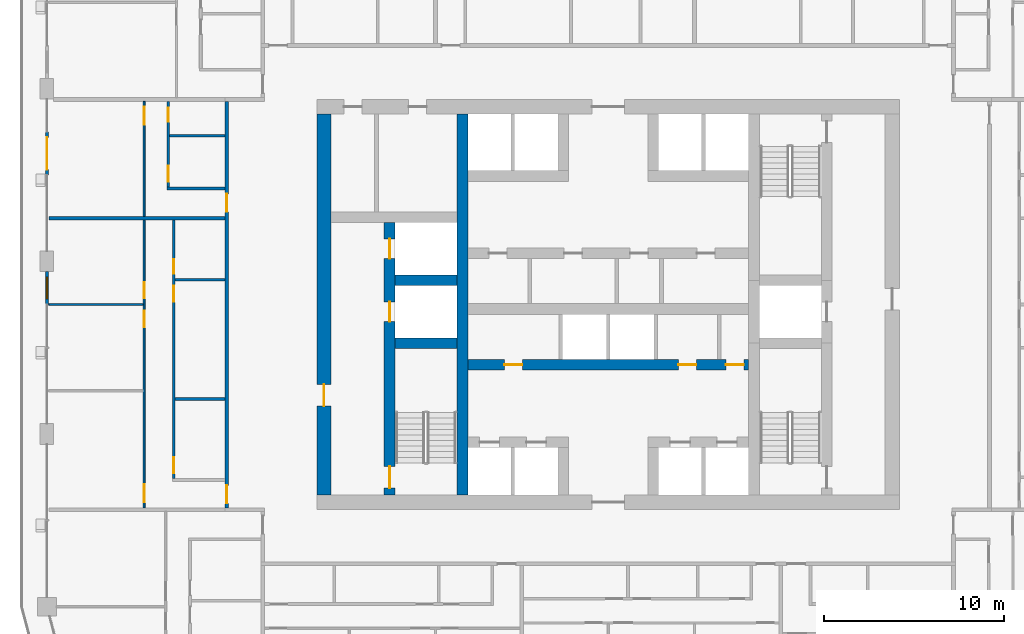
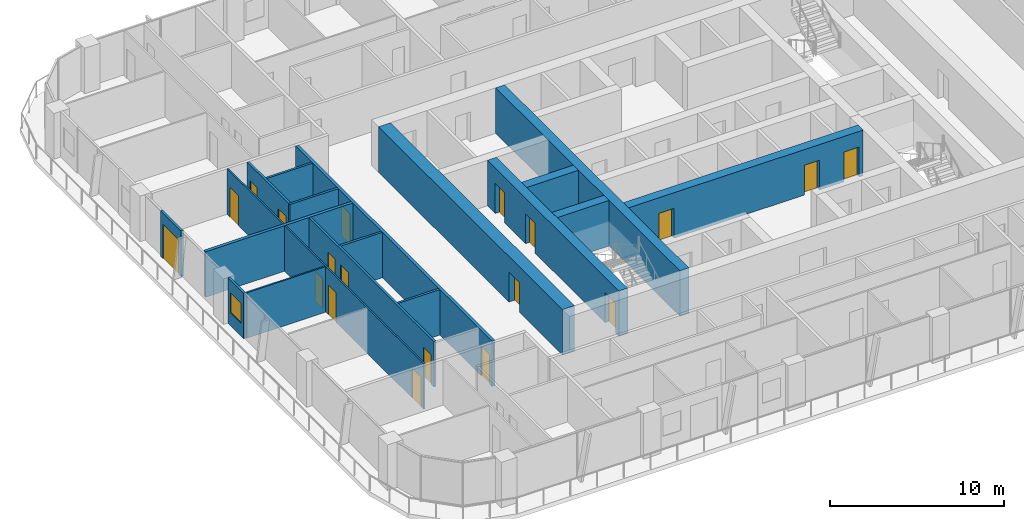
# One storey, part 10 of 22: 19 doors, 19 walls, 1 window, 20 openings.
"""IFC4 building model written with IfcOpenShell, lengths in metres."""

from ifc_helpers import new_model, si_unit, direction, frame, frame_2d, origin, place, context, subcontext, project, spatial, rectangle, extrude, material, layer, layer_set, type_object, element, fill, save


model = new_model("IFC4")

# Units and contexts
model_context = context("Model", 3, precision=1e-05, world=origin(), true_north=direction((0.0, 1.0)))
body_context = subcontext(model_context, "Body", "Model", "MODEL_VIEW")
ifc_project = project(units=[si_unit("LENGTHUNIT", "METRE"), si_unit("AREAUNIT", "SQUARE_METRE"), si_unit("VOLUMEUNIT", "CUBIC_METRE"), si_unit("PLANEANGLEUNIT", "RADIAN"), si_unit("MASSUNIT", "GRAM", prefix="KILO")], contexts=[model_context])

# Site, building, storey
site_placement = place(None, origin())
site = spatial("IfcSite", under=ifc_project, at=site_placement, CompositionType="ELEMENT")
building_placement = place(site_placement, origin())
building = spatial("IfcBuilding", under=site, at=building_placement, Name="Madar Terraces", CompositionType="ELEMENT")
storey_placement = place(building_placement, frame((0.0, 0.0, 136.60009765625)))
storey = spatial("IfcBuildingStorey", under=building, at=storey_placement, Name="L35", CompositionType="ELEMENT", Elevation=136.60009765625)

# Wall, openings, doors
ifc_material_1 = material(Name="Concrete C70/85", Category="concrete")
ifc_layer_1 = layer(ifc_material_1, 0.60009765625)
ifc_layer_set_1 = layer_set([ifc_layer_1], Name="Concrete C70/85 (CIW3 RC wall 600)")
wall_type_1 = type_object("IfcWallType", Name="CIW3 RC wall 600", PredefinedType="SHEAR", material=ifc_layer_set_1)
wall_1_placement = place(storey_placement, frame((19.050048828125, 15.800048828125, 0.0), z_axis=(0.0, 0.0, 1.0), x_axis=(0.0, 1.0, 0.0)))
wall_1 = element("IfcWall", 1, at=wall_1_placement, inside=storey, type_object=wall_type_1, Name="CORE SHAFT WALL", PredefinedType="SHEAR", context=body_context, shape_type="SweptSolid", body=[
    extrude(rectangle(XDim=15.14990234375, YDim=0.60009765625, at=frame_2d((7.574951171875, 0.0))), origin(), (0.0, 0.0, 1.0), 3.199951171875),
])
opening_1_placement = place(wall_1_placement, frame((9.64990234375, 0.0, 0.0)))
opening_1 = element("IfcOpeningElement", 2, at=opening_1_placement, cuts=wall_1, Name="Opening LD", PredefinedType="OPENING", context=body_context, shape_type="SweptSolid", body=[
    extrude(rectangle(XDim=1.10009765625, YDim=2.10009765625, at=frame_2d((0.550048828125, 1.050048828125))), frame((0.0, 0.31005859375, 0.0), z_axis=(0.0, -1.0, 0.0), x_axis=(1.0, 0.0, 0.0)), (0.0, 0.0, 1.0), 0.6201171875),
])
opening_2_placement = place(wall_1_placement, frame((13.14990234375, 0.0, 0.0)))
opening_2 = element("IfcOpeningElement", 3, at=opening_2_placement, cuts=wall_1, Name="Opening LD", PredefinedType="OPENING", context=body_context, shape_type="SweptSolid", body=[
    extrude(rectangle(XDim=1.10009765625, YDim=2.10009765625, at=frame_2d((0.550048828125, 1.050048828125))), frame((0.0, 0.31005859375, 0.0), z_axis=(0.0, -1.0, 0.0), x_axis=(1.0, 0.0, 0.0)), (0.0, 0.0, 1.0), 0.6201171875),
])
opening_3_placement = place(wall_1_placement, frame((0.39990234375, 0.0, 0.0)))
opening_3 = element("IfcOpeningElement", 4, at=opening_3_placement, cuts=wall_1, Name="Opening SD1", PredefinedType="OPENING", context=body_context, shape_type="SweptSolid", body=[
    extrude(rectangle(XDim=1.199951171875, YDim=2.10009765625, at=frame_2d((0.60009765625, 1.050048828125))), frame((0.0, 0.31005859375, 0.0), z_axis=(0.0, -1.0, 0.0), x_axis=(1.0, 0.0, 0.0)), (0.0, 0.0, 1.0), 0.6201171875),
])
ifc_material_2 = material(Name="Stainless steel panel", Category="steel")
door_type_1 = type_object("IfcDoorType", Name="Lift landing door 1100 x 2100", OperationType="DOUBLE_DOOR_SLIDING", PredefinedType="DOOR", material=ifc_material_2)
door_1_placement = place(opening_1_placement, origin())
door_1 = element("IfcDoor", 5, at=door_1_placement, inside=storey, type_object=door_type_1, Name="LIFT LANDING DOOR", OperationType="DOUBLE_DOOR_SLIDING", OverallHeight=2.10009765625, OverallWidth=1.10009765625, PredefinedType="DOOR", context=body_context, shape_type="SweptSolid", body=[
    extrude(rectangle(XDim=1.10009765625, YDim=2.10009765625, at=frame_2d((0.550048828125, 1.050048828125))), frame((0.0, 0.02490234375, 0.0), z_axis=(0.0, -1.0, 0.0), x_axis=(1.0, 0.0, 0.0)), (0.0, 0.0, 1.0), 0.050048828125),
])
fill(opening_1, door_1)
door_2_placement = place(opening_2_placement, origin())
door_2 = element("IfcDoor", 6, at=door_2_placement, inside=storey, type_object=door_type_1, Name="LIFT LANDING DOOR", OperationType="DOUBLE_DOOR_SLIDING", OverallHeight=2.10009765625, OverallWidth=1.10009765625, PredefinedType="DOOR", context=body_context, shape_type="SweptSolid", body=[
    extrude(rectangle(XDim=1.10009765625, YDim=2.10009765625, at=frame_2d((0.550048828125, 1.050048828125))), frame((0.0, 0.02490234375, 0.0), z_axis=(0.0, -1.0, 0.0), x_axis=(1.0, 0.0, 0.0)), (0.0, 0.0, 1.0), 0.050048828125),
])
fill(opening_2, door_2)
ifc_material_3 = material(Name="Steel door leaf", Category="steel")
door_type_2 = type_object("IfcDoorType", Name="Stair door 1200 x 2100", OperationType="NOTDEFINED", PredefinedType="DOOR", material=ifc_material_3)
door_3_placement = place(opening_3_placement, frame((1.199951171875, 0.0, 0.0), z_axis=(0.0, 0.0, 1.0), x_axis=(-1.0, 0.0, 0.0)))
door_3 = element("IfcDoor", 7, at=door_3_placement, inside=storey, type_object=door_type_2, Name="STAIR DOOR", OperationType="SINGLE_SWING_LEFT", OverallHeight=2.10009765625, OverallWidth=1.199951171875, PredefinedType="DOOR", context=body_context, shape_type="SweptSolid", body=[
    extrude(rectangle(XDim=1.199951171875, YDim=2.10009765625, at=frame_2d((0.60009765625, 1.050048828125))), frame((0.0, 0.02490234375, 0.0), z_axis=(0.0, -1.0, 0.0), x_axis=(1.0, 0.0, 0.0)), (0.0, 0.0, 1.0), 0.050048828125),
])
fill(opening_3, door_3)

# Walls
wall_2_placement = place(storey_placement, frame((23.10009765625, 15.800048828125, 0.0), z_axis=(0.0, 0.0, 1.0), x_axis=(0.0, 1.0, 0.0)))
element("IfcWall", 8, at=wall_2_placement, inside=storey, type_object=wall_type_1, Name="CORE SHAFT WALL", PredefinedType="SHEAR", context=body_context, shape_type="SweptSolid", body=[
    extrude(rectangle(XDim=21.199951171875, YDim=0.60009765625, at=frame_2d((10.60009765625, 0.0))), origin(), (0.0, 0.0, 1.0), 3.199951171875),
])
for number, where, z_axis, x_axis, name in (
    (9, (19.35009765625, 24.25, 0.0), (0.0, 0.0, 1.0), (1.0, 0.0, 0.0), "CORE SHAFT WALL"),
    (10, (19.35009765625, 27.75, 0.0), (0.0, 0.0, 1.0), (1.0, 0.0, 0.0), "CORE SHAFT WALL"),
):
    element("IfcWall", number, at=place(storey_placement, frame(where, z_axis=z_axis, x_axis=x_axis)), inside=storey, type_object=wall_type_1, Name=name, PredefinedType="SHEAR", context=body_context, shape_type="SweptSolid", body=[
        extrude(rectangle(XDim=3.449951171875, YDim=0.60009765625, at=frame_2d((1.72509765625, 0.0))), origin(), (0.0, 0.0, 1.0), 3.199951171875),
    ])

# Wall, openings, doors
wall_3_placement = place(storey_placement, frame((23.39990234375, 23.050048828125, 0.0), z_axis=(0.0, 0.0, 1.0), x_axis=(1.0, 0.0, 0.0)))
wall_3 = element("IfcWall", 11, at=wall_3_placement, inside=storey, type_object=wall_type_1, Name="CORE SHAFT WALL", PredefinedType="SHEAR", context=body_context, shape_type="SweptSolid", body=[
    extrude(rectangle(XDim=15.60009765625, YDim=0.60009765625, at=frame_2d((7.800048828125, 0.0))), origin(), (0.0, 0.0, 1.0), 3.199951171875),
])
opening_4_placement = place(wall_3_placement, frame((2.033447265625, 0.0, 0.0)))
opening_4 = element("IfcOpeningElement", 12, at=opening_4_placement, cuts=wall_3, Name="Opening KD2", PredefinedType="OPENING", context=body_context, shape_type="SweptSolid", body=[
    extrude(rectangle(XDim=1.0, YDim=2.10009765625, at=frame_2d((0.5, 1.050048828125))), frame((0.0, 0.31005859375, 0.0), z_axis=(0.0, -1.0, 0.0), x_axis=(1.0, 0.0, 0.0)), (0.0, 0.0, 1.0), 0.6201171875),
])
opening_5_placement = place(wall_3_placement, frame((11.7060546875, 0.0, 0.0)))
opening_5 = element("IfcOpeningElement", 13, at=opening_5_placement, cuts=wall_3, Name="Opening KD2", PredefinedType="OPENING", context=body_context, shape_type="SweptSolid", body=[
    extrude(rectangle(XDim=1.0, YDim=2.10009765625, at=frame_2d((0.5, 1.050048828125))), frame((0.0, 0.31005859375, 0.0), z_axis=(0.0, -1.0, 0.0), x_axis=(1.0, 0.0, 0.0)), (0.0, 0.0, 1.0), 0.6201171875),
])
opening_6_placement = place(wall_3_placement, frame((14.33935546875, 0.0, 0.0)))
opening_6 = element("IfcOpeningElement", 14, at=opening_6_placement, cuts=wall_3, Name="Opening KD2", PredefinedType="OPENING", context=body_context, shape_type="SweptSolid", body=[
    extrude(rectangle(XDim=1.0, YDim=2.10009765625, at=frame_2d((0.5, 1.050048828125))), frame((0.0, 0.31005859375, 0.0), z_axis=(0.0, -1.0, 0.0), x_axis=(1.0, 0.0, 0.0)), (0.0, 0.0, 1.0), 0.6201171875),
])
ifc_material_4 = material(Name="Steel door leaf", Category="steel")
door_type_3 = type_object("IfcDoorType", Name="Service room door 1000 x 2100", OperationType="NOTDEFINED", PredefinedType="DOOR", material=ifc_material_4)
door_4_placement = place(opening_4_placement, frame((1.0, 0.0, 0.0), z_axis=(0.0, 0.0, 1.0), x_axis=(-1.0, 0.0, 0.0)))
door_4 = element("IfcDoor", 15, at=door_4_placement, inside=storey, type_object=door_type_3, Name="SERVICE ROOM DOOR", OperationType="SINGLE_SWING_RIGHT", OverallHeight=2.10009765625, OverallWidth=1.0, PredefinedType="DOOR", context=body_context, shape_type="SweptSolid", body=[
    extrude(rectangle(XDim=1.0, YDim=2.10009765625, at=frame_2d((0.5, 1.050048828125))), frame((0.0, 0.02490234375, 0.0), z_axis=(0.0, -1.0, 0.0), x_axis=(1.0, 0.0, 0.0)), (0.0, 0.0, 1.0), 0.050048828125),
])
fill(opening_4, door_4)
door_5_placement = place(opening_5_placement, frame((1.0, 0.0, 0.0), z_axis=(0.0, 0.0, 1.0), x_axis=(-1.0, 0.0, 0.0)))
door_5 = element("IfcDoor", 16, at=door_5_placement, inside=storey, type_object=door_type_3, Name="SERVICE ROOM DOOR", OperationType="SINGLE_SWING_LEFT", OverallHeight=2.10009765625, OverallWidth=1.0, PredefinedType="DOOR", context=body_context, shape_type="SweptSolid", body=[
    extrude(rectangle(XDim=1.0, YDim=2.10009765625, at=frame_2d((0.5, 1.050048828125))), frame((0.0, 0.02490234375, 0.0), z_axis=(0.0, -1.0, 0.0), x_axis=(1.0, 0.0, 0.0)), (0.0, 0.0, 1.0), 0.050048828125),
])
fill(opening_5, door_5)
door_6_placement = place(opening_6_placement, frame((1.0, 0.0, 0.0), z_axis=(0.0, 0.0, 1.0), x_axis=(-1.0, 0.0, 0.0)))
door_6 = element("IfcDoor", 17, at=door_6_placement, inside=storey, type_object=door_type_3, Name="SERVICE ROOM DOOR", OperationType="SINGLE_SWING_RIGHT", OverallHeight=2.10009765625, OverallWidth=1.0, PredefinedType="DOOR", context=body_context, shape_type="SweptSolid", body=[
    extrude(rectangle(XDim=1.0, YDim=2.10009765625, at=frame_2d((0.5, 1.050048828125))), frame((0.0, 0.02490234375, 0.0), z_axis=(0.0, -1.0, 0.0), x_axis=(1.0, 0.0, 0.0)), (0.0, 0.0, 1.0), 0.050048828125),
])
fill(opening_6, door_6)

# Wall, opening, door
ifc_material_5 = material(Name="Concrete C70/85", Category="concrete")
ifc_layer_2 = layer(ifc_material_5, 0.800048828125)
ifc_layer_set_2 = layer_set([ifc_layer_2], Name="Concrete C70/85 (CRW3 RC wall 800)")
wall_type_2 = type_object("IfcWallType", Name="CRW3 RC wall 800", PredefinedType="SHEAR", material=ifc_layer_set_2)
wall_4_placement = place(storey_placement, frame((15.39990234375, 15.800048828125, 0.0), z_axis=(0.0, 0.0, 1.0), x_axis=(0.0, 1.0, 0.0)))
wall_4 = element("IfcWall", 18, at=wall_4_placement, inside=storey, type_object=wall_type_2, Name="CORE OUTER WALL", PredefinedType="SHEAR", context=body_context, shape_type="SweptSolid", body=[
    extrude(rectangle(XDim=21.199951171875, YDim=0.800048828125, at=frame_2d((10.60009765625, 0.0))), origin(), (0.0, 0.0, 1.0), 3.199951171875),
])
opening_7_placement = place(wall_4_placement, frame((4.9599609375, 0.0, 0.0)))
opening_7 = element("IfcOpeningElement", 19, at=opening_7_placement, cuts=wall_4, Name="Opening SD1", PredefinedType="OPENING", context=body_context, shape_type="SweptSolid", body=[
    extrude(rectangle(XDim=1.199951171875, YDim=2.10009765625, at=frame_2d((0.60009765625, 1.050048828125))), frame((0.0, 0.409912109375, 0.0), z_axis=(0.0, -1.0, 0.0), x_axis=(1.0, 0.0, 0.0)), (0.0, 0.0, 1.0), 0.820068359375),
])
door_7_placement = place(opening_7_placement, frame((1.199951171875, 0.0, 0.0), z_axis=(0.0, 0.0, 1.0), x_axis=(-1.0, 0.0, 0.0)))
door_7 = element("IfcDoor", 20, at=door_7_placement, inside=storey, type_object=door_type_2, Name="STAIR DOOR", OperationType="SINGLE_SWING_RIGHT", OverallHeight=2.10009765625, OverallWidth=1.199951171875, PredefinedType="DOOR", context=body_context, shape_type="SweptSolid", body=[
    extrude(rectangle(XDim=1.199951171875, YDim=2.10009765625, at=frame_2d((0.60009765625, 1.050048828125))), frame((0.0, 0.02490234375, 0.0), z_axis=(0.0, -1.0, 0.0), x_axis=(1.0, 0.0, 0.0)), (0.0, 0.0, 1.0), 0.050048828125),
])
fill(opening_7, door_7)

ifc_material_6 = material(Name="Aluminium composite panel, black, over insulated backing", Category="aluminium")
ifc_layer_3 = layer(ifc_material_6, 0.14990234375)
ifc_layer_set_3 = layer_set([ifc_layer_3], Name="Facade bay panel 150")
wall_type_3 = type_object("IfcWallType", Name="Facade bay panel 150", PredefinedType="SOLIDWALL", material=ifc_layer_set_3)
wall_5_placement = place(storey_placement, frame((0.0, 36.0, 0.0), z_axis=(0.0, 0.0, 1.0), x_axis=(0.0, -1.0, 0.0)))
wall_5 = element("IfcWall", 21, at=wall_5_placement, inside=storey, type_object=wall_type_3, Name="Facade bay panel", PredefinedType="SOLIDWALL", context=body_context, shape_type="SweptSolid", body=[
    extrude(rectangle(XDim=2.39990234375, YDim=0.14990234375, at=frame_2d((1.199951171875, 0.0))), origin(), (0.0, 0.0, 1.0), 3.199951171875),
])
opening_8_placement = place(wall_5_placement, frame((0.300048828125, 0.0, 0.0)))
opening_8 = element("IfcOpeningElement", 22, at=opening_8_placement, cuts=wall_5, Name="Opening ED1", PredefinedType="OPENING", context=body_context, shape_type="SweptSolid", body=[
    extrude(rectangle(XDim=1.800048828125, YDim=2.39990234375, at=frame_2d((0.89990234375, 1.199951171875))), frame((0.0, 0.0849609375, 0.0), z_axis=(0.0, -1.0, 0.0), x_axis=(1.0, 0.0, 0.0)), (0.0, 0.0, 1.0), 0.169921875),
])
ifc_material_7 = material(Name="Glass, clear, with black aluminium frame", Category="aluminium")
door_type_4 = type_object("IfcDoorType", Name="Balcony and terrace sliding door 1800 x 2400", OperationType="SLIDING_TO_LEFT", PredefinedType="DOOR", material=ifc_material_7)
door_8_placement = place(opening_8_placement, origin())
door_8 = element("IfcDoor", 23, at=door_8_placement, inside=storey, type_object=door_type_4, Name="Balcony door", OperationType="SLIDING_TO_LEFT", OverallHeight=2.39990234375, OverallWidth=1.800048828125, PredefinedType="DOOR", context=body_context, shape_type="SweptSolid", body=[
    extrude(rectangle(XDim=1.800048828125, YDim=2.39990234375, at=frame_2d((0.89990234375, 1.199951171875))), frame((0.0, 0.02490234375, 0.0), z_axis=(0.0, -1.0, 0.0), x_axis=(1.0, 0.0, 0.0)), (0.0, 0.0, 1.0), 0.050048828125),
])
fill(opening_8, door_8)

# Wall, opening, window
wall_6_placement = place(storey_placement, frame((0.0, 28.22509765625, 0.0), z_axis=(0.0, 0.0, 1.0), x_axis=(0.0, -1.0, 0.0)))
wall_6 = element("IfcWall", 24, at=wall_6_placement, inside=storey, type_object=wall_type_3, Name="Facade bay panel", PredefinedType="SOLIDWALL", context=body_context, shape_type="SweptSolid", body=[
    extrude(rectangle(XDim=1.8251953125, YDim=0.14990234375, at=frame_2d((0.91259765625, 0.0))), origin(), (0.0, 0.0, 1.0), 3.199951171875),
])
opening_9_placement = place(wall_6_placement, frame((0.3125, 0.0, 0.89990234375)))
opening_9 = element("IfcOpeningElement", 25, at=opening_9_placement, cuts=wall_6, Name="Opening W1", PredefinedType="OPENING", context=body_context, shape_type="SweptSolid", body=[
    extrude(rectangle(XDim=1.199951171875, YDim=1.39990234375, at=frame_2d((0.60009765625, 0.699951171875))), frame((0.0, 0.0849609375, 0.0), z_axis=(0.0, -1.0, 0.0), x_axis=(1.0, 0.0, 0.0)), (0.0, 0.0, 1.0), 0.169921875),
])
ifc_material_8 = material(Name="Glass, clear, with black aluminium frame", Category="aluminium")
window_type = type_object("IfcWindowType", Name="Vent window 1200 x 1400", PartitioningType="SINGLE_PANEL", PredefinedType="WINDOW", material=ifc_material_8)
window_placement = place(opening_9_placement, origin())
window = element("IfcWindow", 26, at=window_placement, inside=storey, type_object=window_type, Name="Operable vent window", OverallHeight=1.39990234375, OverallWidth=1.199951171875, PartitioningType="SINGLE_PANEL", PredefinedType="WINDOW", context=body_context, shape_type="SweptSolid", body=[
    extrude(rectangle(XDim=1.199951171875, YDim=1.39990234375, at=frame_2d((0.60009765625, 0.699951171875))), frame((0.0, 0.030029296875, 0.0), z_axis=(0.0, -1.0, 0.0), x_axis=(1.0, 0.0, 0.0)), (0.0, 0.0, 1.0), 0.06005859375),
])
fill(opening_9, window)

# Wall, opening, door
ifc_material_9 = material(Name="Gypsum board on steel studs", Category="steel")
ifc_layer_4 = layer(ifc_material_9, 0.10009765625)
ifc_layer_set_4 = layer_set([ifc_layer_4], Name="Flat partition 100")
wall_type_4 = type_object("IfcWallType", Name="Flat partition 100", PredefinedType="PARTITIONING", material=ifc_layer_set_4)
wall_7_placement = place(storey_placement, frame((5.39990234375, 31.300048828125, 0.0), z_axis=(0.0, 0.0, 1.0), x_axis=(0.0, 1.0, 0.0)))
wall_7 = element("IfcWall", 27, at=wall_7_placement, inside=storey, type_object=wall_type_4, Name="Flat partition 100", PredefinedType="PARTITIONING", context=body_context, shape_type="SweptSolid", body=[
    extrude(rectangle(XDim=6.39990234375, YDim=0.10009765625, at=frame_2d((3.199951171875, 0.0))), origin(), (0.0, 0.0, 1.0), 3.199951171875),
])
opening_10_placement = place(wall_7_placement, frame((5.10009765625, 0.0, 0.0)))
opening_10 = element("IfcOpeningElement", 28, at=opening_10_placement, cuts=wall_7, Name="Opening D3", PredefinedType="OPENING", context=body_context, shape_type="SweptSolid", body=[
    extrude(rectangle(XDim=1.0, YDim=2.10009765625, at=frame_2d((0.5, 1.050048828125))), frame((0.0, 0.06005859375, 0.0), z_axis=(0.0, -1.0, 0.0), x_axis=(1.0, 0.0, 0.0)), (0.0, 0.0, 1.0), 0.1201171875),
])
ifc_material_10 = material(Name="Timber door leaf", Category="wood")
door_type_5 = type_object("IfcDoorType", Name="Flat living room door 1000", OperationType="NOTDEFINED", PredefinedType="DOOR", material=ifc_material_10)
door_9_placement = place(opening_10_placement, origin())
door_9 = element("IfcDoor", 29, at=door_9_placement, inside=storey, type_object=door_type_5, Name="Flat living room door 1000", OperationType="SINGLE_SWING_RIGHT", OverallHeight=2.10009765625, OverallWidth=1.0, PredefinedType="DOOR", context=body_context, shape_type="SweptSolid", body=[
    extrude(rectangle(XDim=1.0, YDim=2.10009765625, at=frame_2d((0.5, 1.050048828125))), frame((0.0, 0.02490234375, 0.0), z_axis=(0.0, -1.0, 0.0), x_axis=(1.0, 0.0, 0.0)), (0.0, 0.0, 1.0), 0.050048828125),
])
fill(opening_10, door_9)

# Wall
wall_8_placement = place(storey_placement, frame((5.35009765625, 26.39990234375, 0.0), z_axis=(0.0, 0.0, 1.0), x_axis=(-1.0, 0.0, 0.0)))
element("IfcWall", 30, at=wall_8_placement, inside=storey, type_object=wall_type_4, Name="Flat partition 100", PredefinedType="PARTITIONING", context=body_context, shape_type="SweptSolid", body=[
    extrude(rectangle(XDim=5.25, YDim=0.10009765625, at=frame_2d((2.625, 0.0))), origin(), (0.0, 0.0, 1.0), 3.199951171875),
])

# Wall, openings, doors
wall_9_placement = place(storey_placement, frame((5.39990234375, 15.10009765625, 0.0), z_axis=(0.0, 0.0, 1.0), x_axis=(0.0, 1.0, 0.0)))
wall_9 = element("IfcWall", 31, at=wall_9_placement, inside=storey, type_object=wall_type_4, Name="Flat partition 100", PredefinedType="PARTITIONING", context=body_context, shape_type="SweptSolid", body=[
    extrude(rectangle(XDim=16.0, YDim=0.10009765625, at=frame_2d((8.0, 0.0))), origin(), (0.0, 0.0, 1.0), 3.199951171875),
])
opening_11_placement = place(wall_9_placement, frame((0.300048828125, 0.0, 0.0)))
opening_11 = element("IfcOpeningElement", 32, at=opening_11_placement, cuts=wall_9, Name="Opening D3", PredefinedType="OPENING", context=body_context, shape_type="SweptSolid", body=[
    extrude(rectangle(XDim=1.0, YDim=2.10009765625, at=frame_2d((0.5, 1.050048828125))), frame((0.0, 0.06005859375, 0.0), z_axis=(0.0, -1.0, 0.0), x_axis=(1.0, 0.0, 0.0)), (0.0, 0.0, 1.0), 0.1201171875),
])
opening_12_placement = place(wall_9_placement, frame((10.050048828125, 0.0, 0.0)))
opening_12 = element("IfcOpeningElement", 33, at=opening_12_placement, cuts=wall_9, Name="Opening D2", PredefinedType="OPENING", context=body_context, shape_type="SweptSolid", body=[
    extrude(rectangle(XDim=0.89990234375, YDim=2.10009765625, at=frame_2d((0.449951171875, 1.050048828125))), frame((0.0, 0.06005859375, 0.0), z_axis=(0.0, -1.0, 0.0), x_axis=(1.0, 0.0, 0.0)), (0.0, 0.0, 1.0), 0.1201171875),
])
opening_13_placement = place(wall_9_placement, frame((11.64990234375, 0.0, 0.0)))
opening_13 = element("IfcOpeningElement", 34, at=opening_13_placement, cuts=wall_9, Name="Opening D2", PredefinedType="OPENING", context=body_context, shape_type="SweptSolid", body=[
    extrude(rectangle(XDim=0.89990234375, YDim=2.10009765625, at=frame_2d((0.449951171875, 1.050048828125))), frame((0.0, 0.06005859375, 0.0), z_axis=(0.0, -1.0, 0.0), x_axis=(1.0, 0.0, 0.0)), (0.0, 0.0, 1.0), 0.1201171875),
])
door_10_placement = place(opening_11_placement, origin())
door_10 = element("IfcDoor", 35, at=door_10_placement, inside=storey, type_object=door_type_5, Name="Flat living room door 1000", OperationType="SINGLE_SWING_LEFT", OverallHeight=2.10009765625, OverallWidth=1.0, PredefinedType="DOOR", context=body_context, shape_type="SweptSolid", body=[
    extrude(rectangle(XDim=1.0, YDim=2.10009765625, at=frame_2d((0.5, 1.050048828125))), frame((0.0, 0.02490234375, 0.0), z_axis=(0.0, -1.0, 0.0), x_axis=(1.0, 0.0, 0.0)), (0.0, 0.0, 1.0), 0.050048828125),
])
fill(opening_11, door_10)
ifc_material_11 = material(Name="Timber door leaf", Category="wood")
door_type_6 = type_object("IfcDoorType", Name="Flat room door 900", OperationType="NOTDEFINED", PredefinedType="DOOR", material=ifc_material_11)
door_11_placement = place(opening_12_placement, origin())
door_11 = element("IfcDoor", 36, at=door_11_placement, inside=storey, type_object=door_type_6, Name="Flat room door 900", OperationType="SINGLE_SWING_RIGHT", OverallHeight=2.10009765625, OverallWidth=0.89990234375, PredefinedType="DOOR", context=body_context, shape_type="SweptSolid", body=[
    extrude(rectangle(XDim=0.89990234375, YDim=2.10009765625, at=frame_2d((0.449951171875, 1.050048828125))), frame((0.0, 0.02490234375, 0.0), z_axis=(0.0, -1.0, 0.0), x_axis=(1.0, 0.0, 0.0)), (0.0, 0.0, 1.0), 0.050048828125),
])
fill(opening_12, door_11)
door_12_placement = place(opening_13_placement, origin())
door_12 = element("IfcDoor", 37, at=door_12_placement, inside=storey, type_object=door_type_6, Name="Flat room door 900", OperationType="SINGLE_SWING_LEFT", OverallHeight=2.10009765625, OverallWidth=0.89990234375, PredefinedType="DOOR", context=body_context, shape_type="SweptSolid", body=[
    extrude(rectangle(XDim=0.89990234375, YDim=2.10009765625, at=frame_2d((0.449951171875, 1.050048828125))), frame((0.0, 0.02490234375, 0.0), z_axis=(0.0, -1.0, 0.0), x_axis=(1.0, 0.0, 0.0)), (0.0, 0.0, 1.0), 0.050048828125),
])
fill(opening_13, door_12)

ifc_material_12 = material(Name="Lightweight blockwork", Category="masonry")
ifc_layer_5 = layer(ifc_material_12, 0.199951171875)
ifc_layer_set_5 = layer_set([ifc_layer_5], Name="Flat party and entrance wall 200")
wall_type_5 = type_object("IfcWallType", Name="Flat party and entrance wall 200", PredefinedType="PARTITIONING", material=ifc_layer_set_5)
wall_10_placement = place(storey_placement, frame((10.0, 15.10009765625, 0.0), z_axis=(0.0, 0.0, 1.0), x_axis=(0.0, 1.0, 0.0)))
wall_10 = element("IfcWall", 38, at=wall_10_placement, inside=storey, type_object=wall_type_5, Name="Flat party and entrance wall 200", PredefinedType="PARTITIONING", context=body_context, shape_type="SweptSolid", body=[
    extrude(rectangle(XDim=22.599853515625, YDim=0.199951171875, at=frame_2d((11.2998046875, 0.0))), origin(), (0.0, 0.0, 1.0), 3.199951171875),
])
opening_14_placement = place(wall_10_placement, frame((16.449951171875, 0.0, 0.0)))
opening_14 = element("IfcOpeningElement", 39, at=opening_14_placement, cuts=wall_10, Name="Opening D1", PredefinedType="OPENING", context=body_context, shape_type="SweptSolid", body=[
    extrude(rectangle(XDim=1.0, YDim=2.10009765625, at=frame_2d((0.5, 1.050048828125))), frame((0.0, 0.10986328125, 0.0), z_axis=(0.0, -1.0, 0.0), x_axis=(1.0, 0.0, 0.0)), (0.0, 0.0, 1.0), 0.219970703125),
])
opening_15_placement = place(wall_10_placement, frame((0.25, 0.0, 0.0)))
opening_15 = element("IfcOpeningElement", 40, at=opening_15_placement, cuts=wall_10, Name="Opening D1", PredefinedType="OPENING", context=body_context, shape_type="SweptSolid", body=[
    extrude(rectangle(XDim=1.0, YDim=2.10009765625, at=frame_2d((0.5, 1.050048828125))), frame((0.0, 0.10986328125, 0.0), z_axis=(0.0, -1.0, 0.0), x_axis=(1.0, 0.0, 0.0)), (0.0, 0.0, 1.0), 0.219970703125),
])
ifc_material_13 = material(Name="Timber fire door leaf", Category="wood")
door_type_7 = type_object("IfcDoorType", Name="Flat entrance door 1000 FD30S", OperationType="NOTDEFINED", PredefinedType="DOOR", material=ifc_material_13)
door_13_placement = place(opening_14_placement, origin())
door_13 = element("IfcDoor", 41, at=door_13_placement, inside=storey, type_object=door_type_7, Name="Flat entrance door 1000 FD30S", OperationType="SINGLE_SWING_LEFT", OverallHeight=2.10009765625, OverallWidth=1.0, PredefinedType="DOOR", context=body_context, shape_type="SweptSolid", body=[
    extrude(rectangle(XDim=1.0, YDim=2.10009765625, at=frame_2d((0.5, 1.050048828125))), frame((0.0, 0.02490234375, 0.0), z_axis=(0.0, -1.0, 0.0), x_axis=(1.0, 0.0, 0.0)), (0.0, 0.0, 1.0), 0.050048828125),
])
fill(opening_14, door_13)
door_14_placement = place(opening_15_placement, origin())
door_14 = element("IfcDoor", 42, at=door_14_placement, inside=storey, type_object=door_type_7, Name="Flat entrance door 1000 FD30S", OperationType="SINGLE_SWING_LEFT", OverallHeight=2.10009765625, OverallWidth=1.0, PredefinedType="DOOR", context=body_context, shape_type="SweptSolid", body=[
    extrude(rectangle(XDim=1.0, YDim=2.10009765625, at=frame_2d((0.5, 1.050048828125))), frame((0.0, 0.02490234375, 0.0), z_axis=(0.0, -1.0, 0.0), x_axis=(1.0, 0.0, 0.0)), (0.0, 0.0, 1.0), 0.050048828125),
])
fill(opening_15, door_14)

# Walls
wall_11_placement = place(storey_placement, frame((0.10009765625, 31.199951171875, 0.0), z_axis=(0.0, 0.0, 1.0), x_axis=(1.0, 0.0, 0.0)))
element("IfcWall", 43, at=wall_11_placement, inside=storey, type_object=wall_type_5, Name="Flat party and entrance wall 200", PredefinedType="PARTITIONING", context=body_context, shape_type="SweptSolid", body=[
    extrude(rectangle(XDim=9.7998046875, YDim=0.199951171875, at=frame_2d((4.89990234375, 0.0))), origin(), (0.0, 0.0, 1.0), 3.199951171875),
])
ifc_material_14 = material(Name="Lightweight blockwork", Category="masonry")
ifc_layer_6 = layer(ifc_material_14, 0.14990234375)
ifc_layer_set_6 = layer_set([ifc_layer_6], Name="Flat wet-room partition 150")
wall_type_6 = type_object("IfcWallType", Name="Flat wet-room partition 150", PredefinedType="PARTITIONING", material=ifc_layer_set_6)
wall_12_placement = place(storey_placement, frame((9.89990234375, 35.7900390625, 0.0), z_axis=(0.0, 0.0, 1.0), x_axis=(-1.0, 0.0, 0.0)))
element("IfcWall", 44, at=wall_12_placement, inside=storey, type_object=wall_type_6, Name="Flat wet-room partition 150", PredefinedType="PARTITIONING", context=body_context, shape_type="SweptSolid", body=[
    extrude(rectangle(XDim=3.074951171875, YDim=0.14990234375, at=frame_2d((1.53759765625, 0.0))), origin(), (0.0, 0.0, 1.0), 3.199951171875),
])
wall_13_placement = place(storey_placement, frame((9.89990234375, 32.85009765625, 0.0), z_axis=(0.0, 0.0, 1.0), x_axis=(-1.0, 0.0, 0.0)))
element("IfcWall", 45, at=wall_13_placement, inside=storey, type_object=wall_type_6, Name="Flat wet-room partition 150", PredefinedType="PARTITIONING", context=body_context, shape_type="SweptSolid", body=[
    extrude(rectangle(XDim=3.224853515625, YDim=0.14990234375, at=frame_2d((1.6123046875, 0.0))), origin(), (0.0, 0.0, 1.0), 3.199951171875),
])

# Wall, openings, doors
wall_14_placement = place(storey_placement, frame((6.75, 37.699951171875, 0.0), z_axis=(0.0, 0.0, 1.0), x_axis=(0.0, -1.0, 0.0)))
wall_14 = element("IfcWall", 46, at=wall_14_placement, inside=storey, type_object=wall_type_6, Name="Flat wet-room partition 150", PredefinedType="PARTITIONING", context=body_context, shape_type="SweptSolid", body=[
    extrude(rectangle(XDim=4.77490234375, YDim=0.14990234375, at=frame_2d((2.387451171875, 0.0))), origin(), (0.0, 0.0, 1.0), 3.199951171875),
])
opening_16_placement = place(wall_14_placement, frame((3.574951171875, 0.0, 0.0)))
opening_16 = element("IfcOpeningElement", 47, at=opening_16_placement, cuts=wall_14, Name="Opening D2", PredefinedType="OPENING", context=body_context, shape_type="SweptSolid", body=[
    extrude(rectangle(XDim=0.89990234375, YDim=2.10009765625, at=frame_2d((0.449951171875, 1.050048828125))), frame((0.0, 0.0849609375, 0.0), z_axis=(0.0, -1.0, 0.0), x_axis=(1.0, 0.0, 0.0)), (0.0, 0.0, 1.0), 0.169921875),
])
opening_17_placement = place(wall_14_placement, frame((0.35009765625, 0.0, 0.0)))
opening_17 = element("IfcOpeningElement", 48, at=opening_17_placement, cuts=wall_14, Name="Opening D4", PredefinedType="OPENING", context=body_context, shape_type="SweptSolid", body=[
    extrude(rectangle(XDim=0.800048828125, YDim=2.10009765625, at=frame_2d((0.39990234375, 1.050048828125))), frame((0.0, 0.0849609375, 0.0), z_axis=(0.0, -1.0, 0.0), x_axis=(1.0, 0.0, 0.0)), (0.0, 0.0, 1.0), 0.169921875),
])
ifc_material_15 = material(Name="Timber door leaf", Category="wood")
door_type_8 = type_object("IfcDoorType", Name="Flat bathroom door 800", OperationType="NOTDEFINED", PredefinedType="DOOR", material=ifc_material_15)
door_15_placement = place(opening_17_placement, origin())
door_15 = element("IfcDoor", 49, at=door_15_placement, inside=storey, type_object=door_type_8, Name="Flat bathroom door 800", OperationType="SINGLE_SWING_LEFT", OverallHeight=2.10009765625, OverallWidth=0.800048828125, PredefinedType="DOOR", context=body_context, shape_type="SweptSolid", body=[
    extrude(rectangle(XDim=0.800048828125, YDim=2.10009765625, at=frame_2d((0.39990234375, 1.050048828125))), frame((0.0, 0.02490234375, 0.0), z_axis=(0.0, -1.0, 0.0), x_axis=(1.0, 0.0, 0.0)), (0.0, 0.0, 1.0), 0.050048828125),
])
fill(opening_17, door_15)
door_16_placement = place(opening_16_placement, origin())
door_16 = element("IfcDoor", 50, at=door_16_placement, inside=storey, type_object=door_type_6, Name="Flat room door 900", OperationType="SINGLE_SWING_RIGHT", OverallHeight=2.10009765625, OverallWidth=0.89990234375, PredefinedType="DOOR", context=body_context, shape_type="SweptSolid", body=[
    extrude(rectangle(XDim=0.89990234375, YDim=2.10009765625, at=frame_2d((0.449951171875, 1.050048828125))), frame((0.0, 0.02490234375, 0.0), z_axis=(0.0, -1.0, 0.0), x_axis=(1.0, 0.0, 0.0)), (0.0, 0.0, 1.0), 0.050048828125),
])
fill(opening_16, door_16)

# Walls
for number, where, z_axis, x_axis, name in (
    (51, (9.89990234375, 21.148193359375, 0.0), (0.0, 0.0, 1.0), (-1.0, 0.0, 0.0), "Flat wet-room partition 150"),
    (52, (9.89990234375, 27.78271484375, 0.0), (0.0, 0.0, 1.0), (-1.0, 0.0, 0.0), "Flat wet-room partition 150"),
):
    element("IfcWall", number, at=place(storey_placement, frame(where, z_axis=z_axis, x_axis=x_axis)), inside=storey, type_object=wall_type_6, Name=name, PredefinedType="PARTITIONING", context=body_context, shape_type="SweptSolid", body=[
        extrude(rectangle(XDim=2.77490234375, YDim=0.14990234375, at=frame_2d((1.387451171875, 0.0))), origin(), (0.0, 0.0, 1.0), 3.199951171875),
    ])

# Wall, openings, doors
wall_15_placement = place(storey_placement, frame((7.050048828125, 31.10009765625, 0.0), z_axis=(0.0, 0.0, 1.0), x_axis=(0.0, -1.0, 0.0)))
wall_15 = element("IfcWall", 53, at=wall_15_placement, inside=storey, type_object=wall_type_6, Name="Flat wet-room partition 150", PredefinedType="PARTITIONING", context=body_context, shape_type="SweptSolid", body=[
    extrude(rectangle(XDim=14.375, YDim=0.14990234375, at=frame_2d((7.1875, 0.0))), origin(), (0.0, 0.0, 1.0), 3.199951171875),
])
opening_18_placement = place(wall_15_placement, frame((13.175048828125, 0.0, 0.0)))
opening_18 = element("IfcOpeningElement", 54, at=opening_18_placement, cuts=wall_15, Name="Opening D5", PredefinedType="OPENING", context=body_context, shape_type="SweptSolid", body=[
    extrude(rectangle(XDim=0.89990234375, YDim=2.10009765625, at=frame_2d((0.449951171875, 1.050048828125))), frame((0.0, 0.0849609375, 0.0), z_axis=(0.0, -1.0, 0.0), x_axis=(1.0, 0.0, 0.0)), (0.0, 0.0, 1.0), 0.169921875),
])
opening_19_placement = place(wall_15_placement, frame((3.642333984375, 0.0, 0.0)))
opening_19 = element("IfcOpeningElement", 55, at=opening_19_placement, cuts=wall_15, Name="Opening D2", PredefinedType="OPENING", context=body_context, shape_type="SweptSolid", body=[
    extrude(rectangle(XDim=0.89990234375, YDim=2.10009765625, at=frame_2d((0.449951171875, 1.050048828125))), frame((0.0, 0.0849609375, 0.0), z_axis=(0.0, -1.0, 0.0), x_axis=(1.0, 0.0, 0.0)), (0.0, 0.0, 1.0), 0.169921875),
])
opening_20_placement = place(wall_15_placement, frame((2.1923828125, 0.0, 0.0)))
opening_20 = element("IfcOpeningElement", 56, at=opening_20_placement, cuts=wall_15, Name="Opening D4", PredefinedType="OPENING", context=body_context, shape_type="SweptSolid", body=[
    extrude(rectangle(XDim=0.800048828125, YDim=2.10009765625, at=frame_2d((0.39990234375, 1.050048828125))), frame((0.0, 0.0849609375, 0.0), z_axis=(0.0, -1.0, 0.0), x_axis=(1.0, 0.0, 0.0)), (0.0, 0.0, 1.0), 0.169921875),
])
ifc_material_16 = material(Name="Timber door leaf", Category="wood")
door_type_9 = type_object("IfcDoorType", Name="Flat accessible bathroom door 900", OperationType="NOTDEFINED", PredefinedType="DOOR", material=ifc_material_16)
door_17_placement = place(opening_18_placement, origin())
door_17 = element("IfcDoor", 57, at=door_17_placement, inside=storey, type_object=door_type_9, Name="Flat accessible bathroom door 900", OperationType="SINGLE_SWING_RIGHT", OverallHeight=2.10009765625, OverallWidth=0.89990234375, PredefinedType="DOOR", context=body_context, shape_type="SweptSolid", body=[
    extrude(rectangle(XDim=0.89990234375, YDim=2.10009765625, at=frame_2d((0.449951171875, 1.050048828125))), frame((0.0, 0.02490234375, 0.0), z_axis=(0.0, -1.0, 0.0), x_axis=(1.0, 0.0, 0.0)), (0.0, 0.0, 1.0), 0.050048828125),
])
fill(opening_18, door_17)
door_18_placement = place(opening_20_placement, origin())
door_18 = element("IfcDoor", 58, at=door_18_placement, inside=storey, type_object=door_type_8, Name="Flat bathroom door 800", OperationType="SINGLE_SWING_RIGHT", OverallHeight=2.10009765625, OverallWidth=0.800048828125, PredefinedType="DOOR", context=body_context, shape_type="SweptSolid", body=[
    extrude(rectangle(XDim=0.800048828125, YDim=2.10009765625, at=frame_2d((0.39990234375, 1.050048828125))), frame((0.0, 0.02490234375, 0.0), z_axis=(0.0, -1.0, 0.0), x_axis=(1.0, 0.0, 0.0)), (0.0, 0.0, 1.0), 0.050048828125),
])
fill(opening_20, door_18)
door_19_placement = place(opening_19_placement, origin())
door_19 = element("IfcDoor", 59, at=door_19_placement, inside=storey, type_object=door_type_6, Name="Flat room door 900", OperationType="SINGLE_SWING_LEFT", OverallHeight=2.10009765625, OverallWidth=0.89990234375, PredefinedType="DOOR", context=body_context, shape_type="SweptSolid", body=[
    extrude(rectangle(XDim=0.89990234375, YDim=2.10009765625, at=frame_2d((0.449951171875, 1.050048828125))), frame((0.0, 0.02490234375, 0.0), z_axis=(0.0, -1.0, 0.0), x_axis=(1.0, 0.0, 0.0)), (0.0, 0.0, 1.0), 0.050048828125),
])
fill(opening_19, door_19)

save(model, "model.ifc")
